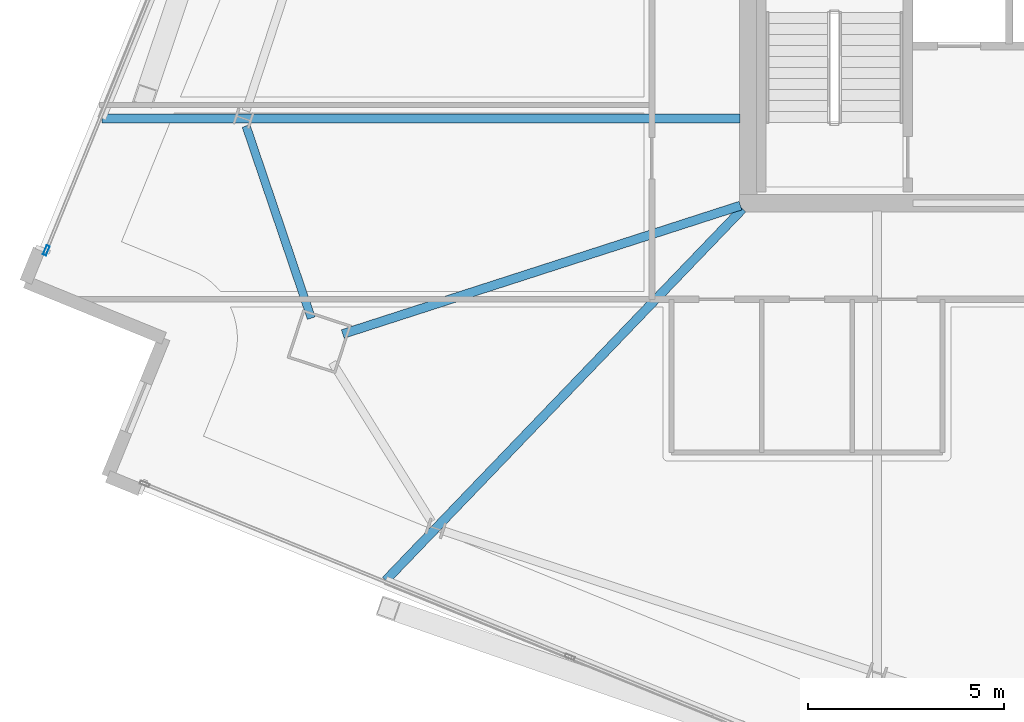
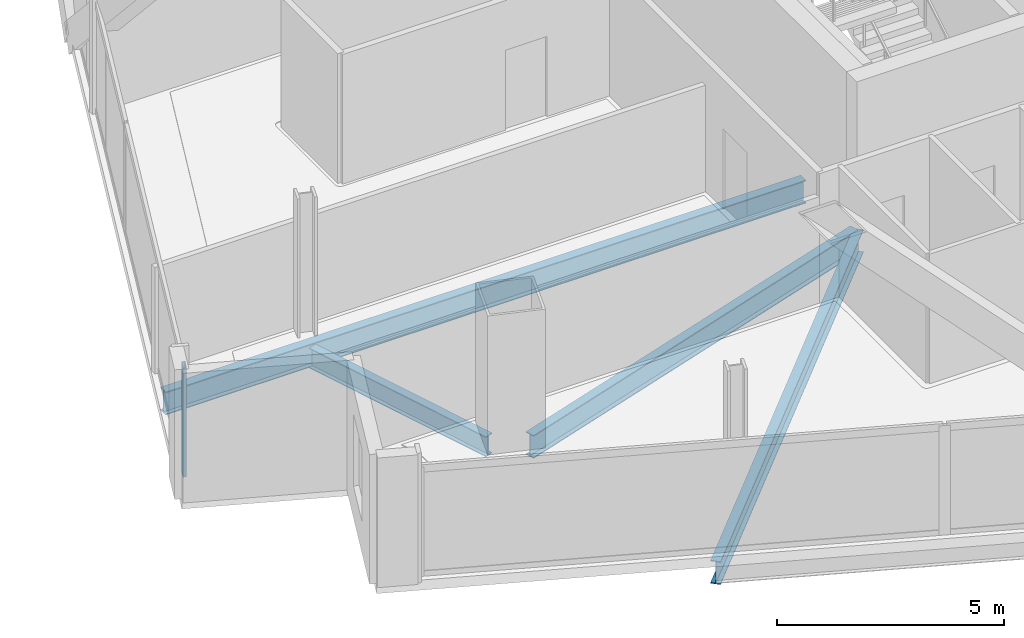
# One storey, part 6 of 31: 4 beams, 1 member, 1 element without a shape of its own.
"""IFC4 building model written with IfcOpenShell, lengths in metres."""

from ifc_helpers import new_model, si_unit, direction, frame, origin, origin_2d, place, context, subcontext, project, spatial, hollow_rectangle, i_section, extrude, material, material_profile, profile_set, type_object, element, aggregate, save


model = new_model("IFC4")

# Units and contexts
model_context = context("Model", 3, precision=1e-05, world=origin(), true_north=direction((0.0, 1.0)))
body_context = subcontext(model_context, "Body", "Model", "MODEL_VIEW")
ifc_project = project(units=[si_unit("LENGTHUNIT", "METRE"), si_unit("AREAUNIT", "SQUARE_METRE"), si_unit("VOLUMEUNIT", "CUBIC_METRE"), si_unit("PLANEANGLEUNIT", "RADIAN"), si_unit("MASSUNIT", "GRAM", prefix="KILO")], contexts=[model_context])

# Site, building, storey
site_placement = place(None, origin())
site = spatial("IfcSite", under=ifc_project, at=site_placement, CompositionType="ELEMENT")
building_placement = place(site_placement, origin())
building = spatial("IfcBuilding", under=site, at=building_placement, Name="Haldenkirk Collegiate Tower", CompositionType="ELEMENT")
storey_placement = place(building_placement, frame((0.0, 0.0, 256.199951171875)))
storey = spatial("IfcBuildingStorey", under=building, at=storey_placement, Name="L64", CompositionType="ELEMENT", Elevation=256.199951171875)

# Beams
ifc_material_1 = material(Name="Steel ASTM A992 Grade 50", Category="steel")
ifc_material_profile_1 = material_profile(ifc_material_1, i_section(OverallWidth=0.22998046875, OverallDepth=0.616943359375, WebThickness=0.01318359375, FlangeThickness=0.022216796875, at=origin_2d()), Name="W24X94")
ifc_profile_set_1 = profile_set([ifc_material_profile_1], Name="Steel ASTM A992 Grade 50")
beam_type_1 = type_object("IfcBeamType", Name="BM-GIRDER-W24X94", PredefinedType="BEAM", material=ifc_profile_set_1)
beam_1_placement = place(storey_placement, frame((16.677001953125, 14.66796875, -0.578369140625), z_axis=(0.95165454957, 0.307170340824, 0.0), x_axis=(-0.307170340824, 0.95165454957, 0.0)))
element("IfcBeam", 1, at=beam_1_placement, inside=storey, type_object=beam_type_1, Name="L64 primary floor girder 04", PredefinedType="BEAM", context=body_context, shape_type="SweptSolid", body=[
    extrude(i_section(OverallWidth=0.22998046875, OverallDepth=0.616943359375, WebThickness=0.01318359375, FlangeThickness=0.022216796875, at=origin_2d()), origin(), (0.0, 0.0, 1.0), 10.642333984375),
])
beam_2_placement = place(storey_placement, frame((10.538330078125, 20.157958984375, -0.578369140625), z_axis=(1.0, 0.0, 0.0), x_axis=(0.0, 1.0, 0.0)))
element("IfcBeam", 2, at=beam_2_placement, inside=storey, type_object=beam_type_1, Name="L64 primary floor girder 13", PredefinedType="BEAM", context=body_context, shape_type="SweptSolid", body=[
    extrude(i_section(OverallWidth=0.22998046875, OverallDepth=0.616943359375, WebThickness=0.01318359375, FlangeThickness=0.022216796875, at=origin_2d()), origin(), (0.0, 0.0, 1.0), 16.256591796875),
])
beam_3_placement = place(storey_placement, frame((17.771728515625, 8.393310546875, -0.578369140625), z_axis=(0.692752263998, 0.721175637917, 0.0), x_axis=(-0.721175637917, 0.692752263998, 0.0)))
element("IfcBeam", 3, at=beam_3_placement, inside=storey, type_object=beam_type_1, Name="L64 primary floor girder 14", PredefinedType="BEAM", context=body_context, shape_type="SweptSolid", body=[
    extrude(i_section(OverallWidth=0.22998046875, OverallDepth=0.616943359375, WebThickness=0.01318359375, FlangeThickness=0.022216796875, at=origin_2d()), origin(), (0.0, 0.0, 1.0), 13.115966796875),
])
ifc_material_profile_2 = material_profile(ifc_material_1, i_section(OverallWidth=0.2099609375, OverallDepth=0.537109375, WebThickness=0.010986328125, FlangeThickness=0.017333984375, at=origin_2d()), Name="W21X68")
ifc_profile_set_2 = profile_set([ifc_material_profile_2], Name="Steel ASTM A992 Grade 50")
beam_type_2 = type_object("IfcBeamType", Name="BM-SPANDREL-W21X68", PredefinedType="SPANDREL", material=ifc_profile_set_2)
beam_4_placement = place(storey_placement, frame((14.214599609375, 19.96630859375, -0.538330078125), z_axis=(0.321210878439, -0.947007693513, 0.0), x_axis=(0.947007693513, 0.321210878439, 0.0)))
element("IfcBeam", 4, at=beam_4_placement, inside=storey, type_object=beam_type_2, Name="L64 perimeter spandrel beam 12", PredefinedType="SPANDREL", context=body_context, shape_type="SweptSolid", body=[
    extrude(i_section(OverallWidth=0.2099609375, OverallDepth=0.537109375, WebThickness=0.010986328125, FlangeThickness=0.017333984375, at=origin_2d()), origin(), (0.0, 0.0, 1.0), 5.169189453125),
])

# Curtain wall, member
ifc_material_2 = material(Name="Anodised architectural bronze aluminium", Category="aluminium")
curtain_wall_type = type_object("IfcCurtainWallType", Name="CW-SYS1B-CONVEX-HI", PredefinedType="USERDEFINED", material=ifc_material_2)
curtain_wall_placement = place(storey_placement, origin())
curtain_wall = element("IfcCurtainWall", 5, at=curtain_wall_placement, inside=storey, type_object=curtain_wall_type, Name="L64 Upper tower high-wind convex bronze unitised curtain wall", ObjectType="UNITISED CURTAIN WALL", PredefinedType="USERDEFINED")
ifc_material_profile_3 = material_profile(ifc_material_2, hollow_rectangle(XDim=0.0849609375, YDim=0.25, WallThickness=0.0048828125, at=origin_2d()), Name="CW-MUL-1B")
ifc_profile_set_3 = profile_set([ifc_material_profile_3], Name="Anodised architectural bronze aluminium")
member_type = type_object("IfcMemberType", Name="CW-MUL-1B", PredefinedType="MULLION", material=ifc_profile_set_3)
member_placement = place(storey_placement, frame((9.126220703125, 16.79541015625, 0.0), z_axis=(0.0, 0.0, 1.0), x_axis=(-0.926198931916, 0.377035195329, 0.0)))
member = element("IfcMember", 6, at=member_placement, type_object=member_type, Name="CW-1B mullion 1", PredefinedType="MULLION", context=body_context, shape_type="SweptSolid", body=[
    extrude(hollow_rectangle(XDim=0.0849609375, YDim=0.25, WallThickness=0.0048828125, at=origin_2d()), origin(), (0.0, 0.0, 1.0), 2.93798828125),
])
aggregate(curtain_wall, [member])

save(model, "model.ifc")
